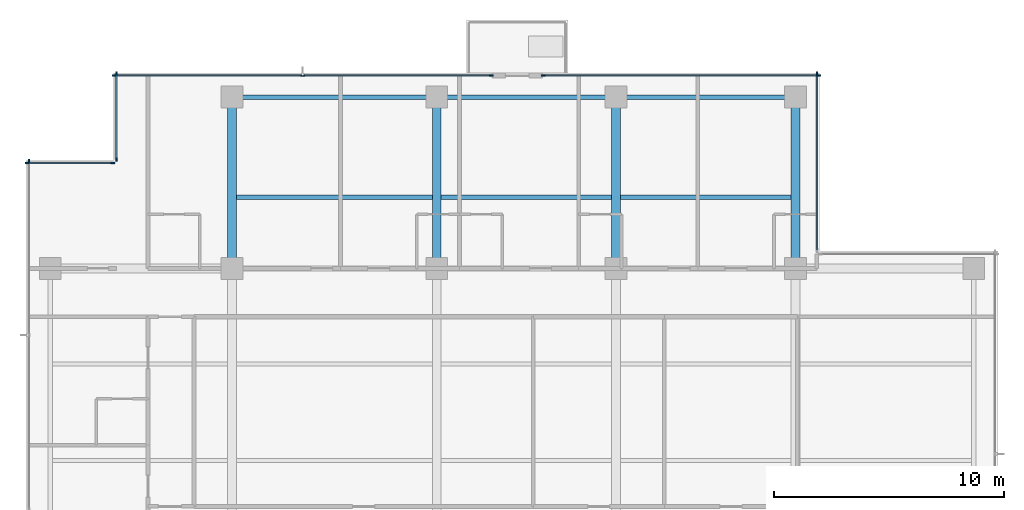
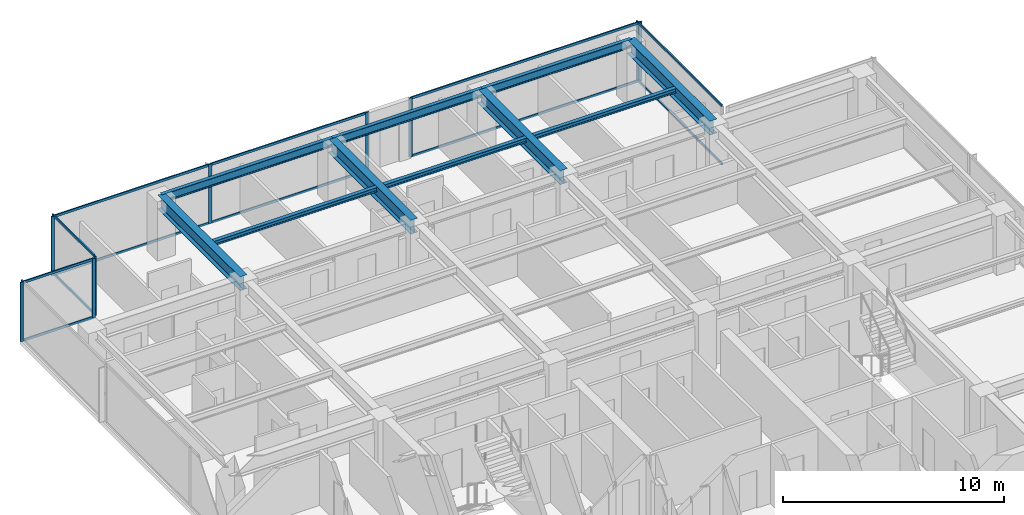
# One storey, part 5 of 15: 23 members, 10 beams, 6 elements without a shape of their own.
"""IFC4 building model written with IfcOpenShell, lengths in metres."""

from ifc_helpers import new_model, si_unit, direction, frame, origin, origin_2d, place, context, subcontext, project, spatial, rectangle, i_section, extrude, material, layer, layer_set, material_profile, profile_set, type_object, element, aggregate, save


model = new_model("IFC4")

# Units and contexts
model_context = context("Model", 3, precision=1e-05, world=origin(), true_north=direction((0.0, 1.0)))
body_context = subcontext(model_context, "Body", "Model", "MODEL_VIEW")
ifc_project = project(units=[si_unit("LENGTHUNIT", "METRE"), si_unit("AREAUNIT", "SQUARE_METRE"), si_unit("VOLUMEUNIT", "CUBIC_METRE"), si_unit("PLANEANGLEUNIT", "RADIAN"), si_unit("MASSUNIT", "GRAM", prefix="KILO")], contexts=[model_context])

# Site, building, storey
site_placement = place(None, origin())
site = spatial("IfcSite", under=ifc_project, at=site_placement, CompositionType="ELEMENT")
building_placement = place(site_placement, origin())
building = spatial("IfcBuilding", under=site, at=building_placement, Name="Qalmaran Belvedere Hotel", CompositionType="ELEMENT")
storey_placement = place(building_placement, frame((0.0, 0.0, 196.89990234375)))
storey = spatial("IfcBuildingStorey", under=building, at=storey_placement, Name="L49", CompositionType="ELEMENT", Elevation=196.89990234375)

# Beams
ifc_material_1 = material(Name="Steel S355JR", Category="steel")
ifc_material_profile_1 = material_profile(ifc_material_1, i_section(OverallWidth=0.201904296875, OverallDepth=0.2470703125, WebThickness=0.00732421875, FlangeThickness=0.010986328125, FilletRadius=0.011962890625, at=origin_2d()), Name="W250X49")
ifc_profile_set_1 = profile_set([ifc_material_profile_1], Name="Steel S355JR")
beam_type_1 = type_object("IfcBeamType", Name="BM-JST-W250X49", PredefinedType="JOIST", material=ifc_profile_set_1)
beam_1_placement = place(storey_placement, frame((20.488525390625, 36.10009765625, 3.13671875), z_axis=(1.0, 0.0, 0.0), x_axis=(0.0, 1.0, 0.0)))
element("IfcBeam", 1, at=beam_1_placement, inside=storey, type_object=beam_type_1, Name="L49 North Floor Joist 042", PredefinedType="JOIST", context=body_context, shape_type="SweptSolid", body=[
    extrude(i_section(OverallWidth=0.201904296875, OverallDepth=0.2470703125, WebThickness=0.00732421875, FlangeThickness=0.010986328125, FilletRadius=0.011962890625, at=origin_2d()), origin(), (0.0, 0.0, 1.0), 8.52294921875),
])
for number, where, z_axis, x_axis, name in (
    (2, (29.388427734375, 36.10009765625, 3.13671875), (1.0, 0.0, 0.0), (0.0, 1.0, 0.0), "L49 North Floor Joist 043"),
    (3, (37.1884765625, 36.10009765625, 3.13671875), (1.0, 0.0, 0.0), (0.0, 1.0, 0.0), "L49 North Floor Joist 044"),
):
    element("IfcBeam", number, at=place(storey_placement, frame(where, z_axis=z_axis, x_axis=x_axis)), inside=storey, type_object=beam_type_1, Name=name, PredefinedType="JOIST", context=body_context, shape_type="SweptSolid", body=[
        extrude(i_section(OverallWidth=0.201904296875, OverallDepth=0.2470703125, WebThickness=0.00732421875, FlangeThickness=0.010986328125, FilletRadius=0.011962890625, at=origin_2d()), origin(), (0.0, 0.0, 1.0), 7.423095703125),
    ])
ifc_material_profile_2 = material_profile(ifc_material_1, i_section(OverallWidth=0.381103515625, OverallDepth=0.77294921875, WebThickness=0.0166015625, FlangeThickness=0.027099609375, FilletRadius=0.02197265625, at=origin_2d()), Name="W760X257")
ifc_profile_set_2 = profile_set([ifc_material_profile_2], Name="Steel S355JR")
beam_type_2 = type_object("IfcBeamType", Name="BM-PG4-W760X257", PredefinedType="USERDEFINED", material=ifc_profile_set_2)
for number, where, z_axis, x_axis, name in (
    (4, (20.300048828125, 33.0, 2.87353515625), (0.0, 1.0, 0.0), (-1.0, 0.0, 0.0), "L49 North Bay Girder 15"),
    (5, (29.199951171875, 33.0, 2.87353515625), (0.0, 1.0, 0.0), (-1.0, 0.0, 0.0), "L49 North Bay Girder 17"),
    (6, (37.0, 33.0, 2.87353515625), (0.0, 1.0, 0.0), (-1.0, 0.0, 0.0), "L49 North Bay Girder 19"),
    (7, (44.800048828125, 33.0, 2.87353515625), (0.0, 1.0, 0.0), (-1.0, 0.0, 0.0), "L49 North Bay Girder 21"),
):
    element("IfcBeam", number, at=place(storey_placement, frame(where, z_axis=z_axis, x_axis=x_axis)), inside=storey, type_object=beam_type_2, Name=name, ObjectType="GIRDER", PredefinedType="USERDEFINED", context=body_context, shape_type="SweptSolid", body=[
        extrude(i_section(OverallWidth=0.381103515625, OverallDepth=0.77294921875, WebThickness=0.0166015625, FlangeThickness=0.027099609375, FilletRadius=0.02197265625, at=origin_2d()), origin(), (0.0, 0.0, 1.0), 7.449951171875),
    ])
ifc_material_profile_3 = material_profile(ifc_material_1, i_section(OverallWidth=0.19189453125, OverallDepth=0.462890625, WebThickness=0.010498046875, FlangeThickness=0.017578125, FilletRadius=0.01611328125, at=origin_2d()), Name="W460X89")
ifc_profile_set_3 = profile_set([ifc_material_profile_3], Name="Steel S355JR")
beam_type_3 = type_object("IfcBeamType", Name="BM-SP2-W460X89", PredefinedType="SPANDREL", material=ifc_profile_set_3)
beam_2_placement = place(storey_placement, frame((20.300048828125, 40.449951171875, 3.028564453125), z_axis=(1.0, 0.0, 0.0), x_axis=(0.0, 1.0, 0.0)))
element("IfcBeam", 8, at=beam_2_placement, inside=storey, type_object=beam_type_3, Name="L49 Perimeter Spandrel 05", PredefinedType="SPANDREL", context=body_context, shape_type="SweptSolid", body=[
    extrude(i_section(OverallWidth=0.19189453125, OverallDepth=0.462890625, WebThickness=0.010498046875, FlangeThickness=0.017578125, FilletRadius=0.01611328125, at=origin_2d()), origin(), (0.0, 0.0, 1.0), 8.89990234375),
])
for number, where, z_axis, x_axis, name in (
    (9, (29.199951171875, 40.449951171875, 3.028564453125), (1.0, 0.0, 0.0), (0.0, 1.0, 0.0), "L49 Perimeter Spandrel 06"),
    (10, (37.0, 40.449951171875, 3.028564453125), (1.0, 0.0, 0.0), (0.0, 1.0, 0.0), "L49 Perimeter Spandrel 07"),
):
    element("IfcBeam", number, at=place(storey_placement, frame(where, z_axis=z_axis, x_axis=x_axis)), inside=storey, type_object=beam_type_3, Name=name, PredefinedType="SPANDREL", context=body_context, shape_type="SweptSolid", body=[
        extrude(i_section(OverallWidth=0.19189453125, OverallDepth=0.462890625, WebThickness=0.010498046875, FlangeThickness=0.017578125, FilletRadius=0.01611328125, at=origin_2d()), origin(), (0.0, 0.0, 1.0), 7.800048828125),
    ])

# Curtain wall, member
ifc_material_2 = material(Name="Anodised Bronze Aluminium", Category="aluminium")
ifc_layer = layer(ifc_material_2, 0.18994140625, Name="Anodised Bronze Aluminium")
ifc_layer_set = layer_set([ifc_layer], Name="Anodised Bronze Aluminium")
curtain_wall_type = type_object("IfcCurtainWallType", Name="CW5-TOWER-UPPER", PredefinedType="NOTDEFINED", material=ifc_layer_set)
curtain_wall_1_placement = place(storey_placement, origin())
curtain_wall_1 = element("IfcCurtainWall", 11, at=curtain_wall_1_placement, inside=storey, type_object=curtain_wall_type, Name="L49 Curtain Wall CW5", PredefinedType="NOTDEFINED")
ifc_material_profile_4 = material_profile(ifc_material_2, rectangle(XDim=0.06494140625, YDim=0.1650390625, at=origin_2d()), Name="CWM65X165")
ifc_profile_set_4 = profile_set([ifc_material_profile_4], Name="Anodised Bronze Aluminium")
member_type_1 = type_object("IfcMemberType", Name="CWM-65X165", PredefinedType="MULLION", material=ifc_profile_set_4)
member_1_placement = place(storey_placement, frame((45.72998046875, 41.467529296875, 0.0), z_axis=(0.0, 0.0, 1.0), x_axis=(-1.0, 0.0, 0.0)))
member_1 = element("IfcMember", 12, at=member_1_placement, type_object=member_type_1, Name="CW5 mullion 2", PredefinedType="MULLION", context=body_context, shape_type="SweptSolid", body=[
    extrude(rectangle(XDim=0.06494140625, YDim=0.1650390625, at=origin_2d()), origin(), (0.0, 0.0, 1.0), 3.260009765625),
])

# Curtain wall, members
curtain_wall_2_placement = place(storey_placement, origin())
curtain_wall_2 = element("IfcCurtainWall", 13, at=curtain_wall_2_placement, inside=storey, type_object=curtain_wall_type, Name="L49 Curtain Wall CW5", PredefinedType="NOTDEFINED")
member_2_placement = place(storey_placement, frame((31.5673828125, 41.3798828125, 0.0), z_axis=(0.0, 0.0, 1.0), x_axis=(0.0, -1.0, 0.0)))
member_2 = element("IfcMember", 14, at=member_2_placement, type_object=member_type_1, Name="CW5 mullion 1", PredefinedType="MULLION", context=body_context, shape_type="SweptSolid", body=[
    extrude(rectangle(XDim=0.06494140625, YDim=0.1650390625, at=origin_2d()), origin(), (0.0, 0.0, 1.0), 3.260009765625),
])
member_3_placement = place(storey_placement, frame((23.375, 41.3798828125, 0.0), z_axis=(0.0, 0.0, 1.0), x_axis=(0.0, -1.0, 0.0)))
member_3 = element("IfcMember", 15, at=member_3_placement, type_object=member_type_1, Name="CW5 mullion 2", PredefinedType="MULLION", context=body_context, shape_type="SweptSolid", body=[
    extrude(rectangle(XDim=0.06494140625, YDim=0.1650390625, at=origin_2d()), origin(), (0.0, 0.0, 1.0), 3.260009765625),
])
member_4_placement = place(storey_placement, frame((15.1826171875, 41.3798828125, 0.0), z_axis=(0.0, 0.0, 1.0), x_axis=(0.0, -1.0, 0.0)))
member_4 = element("IfcMember", 16, at=member_4_placement, type_object=member_type_1, Name="CW5 mullion 3", PredefinedType="MULLION", context=body_context, shape_type="SweptSolid", body=[
    extrude(rectangle(XDim=0.06494140625, YDim=0.1650390625, at=origin_2d()), origin(), (0.0, 0.0, 1.0), 3.260009765625),
])

curtain_wall_3_placement = place(storey_placement, origin())
curtain_wall_3 = element("IfcCurtainWall", 17, at=curtain_wall_3_placement, inside=storey, type_object=curtain_wall_type, Name="L49 Curtain Wall CW5", PredefinedType="NOTDEFINED")
member_5_placement = place(storey_placement, frame((45.8173828125, 41.3798828125, 0.0), z_axis=(0.0, 0.0, 1.0), x_axis=(0.0, -1.0, 0.0)))
member_5 = element("IfcMember", 18, at=member_5_placement, type_object=member_type_1, Name="CW5 mullion 1", PredefinedType="MULLION", context=body_context, shape_type="SweptSolid", body=[
    extrude(rectangle(XDim=0.06494140625, YDim=0.1650390625, at=origin_2d()), origin(), (0.0, 0.0, 1.0), 3.260009765625),
])
member_6_placement = place(storey_placement, frame((33.83251953125, 41.3798828125, 0.0), z_axis=(0.0, 0.0, 1.0), x_axis=(0.0, -1.0, 0.0)))
member_6 = element("IfcMember", 19, at=member_6_placement, type_object=member_type_1, Name="CW5 mullion 2", PredefinedType="MULLION", context=body_context, shape_type="SweptSolid", body=[
    extrude(rectangle(XDim=0.06494140625, YDim=0.1650390625, at=origin_2d()), origin(), (0.0, 0.0, 1.0), 3.260009765625),
])

curtain_wall_4_placement = place(storey_placement, origin())
curtain_wall_4 = element("IfcCurtainWall", 20, at=curtain_wall_4_placement, inside=storey, type_object=curtain_wall_type, Name="L49 Curtain Wall CW5", PredefinedType="NOTDEFINED")
member_7_placement = place(storey_placement, frame((15.27001953125, 41.467529296875, 0.0), z_axis=(0.0, 0.0, 1.0), x_axis=(1.0, 0.0, 0.0)))
member_7 = element("IfcMember", 21, at=member_7_placement, type_object=member_type_1, Name="CW5 mullion 1", PredefinedType="MULLION", context=body_context, shape_type="SweptSolid", body=[
    extrude(rectangle(XDim=0.06494140625, YDim=0.1650390625, at=origin_2d()), origin(), (0.0, 0.0, 1.0), 3.260009765625),
])
member_8_placement = place(storey_placement, frame((15.27001953125, 37.732421875, 0.0), z_axis=(0.0, 0.0, 1.0), x_axis=(1.0, 0.0, 0.0)))
member_8 = element("IfcMember", 22, at=member_8_placement, type_object=member_type_1, Name="CW5 mullion 2", PredefinedType="MULLION", context=body_context, shape_type="SweptSolid", body=[
    extrude(rectangle(XDim=0.06494140625, YDim=0.1650390625, at=origin_2d()), origin(), (0.0, 0.0, 1.0), 3.260009765625),
])

curtain_wall_5_placement = place(storey_placement, origin())
curtain_wall_5 = element("IfcCurtainWall", 23, at=curtain_wall_5_placement, inside=storey, type_object=curtain_wall_type, Name="L49 Curtain Wall CW5", PredefinedType="NOTDEFINED")
member_9_placement = place(storey_placement, frame((15.117431640625, 37.580078125, 0.0), z_axis=(0.0, 0.0, 1.0), x_axis=(0.0, -1.0, 0.0)))
member_9 = element("IfcMember", 24, at=member_9_placement, type_object=member_type_1, Name="CW5 mullion 1", PredefinedType="MULLION", context=body_context, shape_type="SweptSolid", body=[
    extrude(rectangle(XDim=0.06494140625, YDim=0.1650390625, at=origin_2d()), origin(), (0.0, 0.0, 1.0), 3.260009765625),
])
member_10_placement = place(storey_placement, frame((11.382568359375, 37.580078125, 0.0), z_axis=(0.0, 0.0, 1.0), x_axis=(0.0, -1.0, 0.0)))
member_10 = element("IfcMember", 25, at=member_10_placement, type_object=member_type_1, Name="CW5 mullion 2", PredefinedType="MULLION", context=body_context, shape_type="SweptSolid", body=[
    extrude(rectangle(XDim=0.06494140625, YDim=0.1650390625, at=origin_2d()), origin(), (0.0, 0.0, 1.0), 3.260009765625),
])

# Curtain wall, member
curtain_wall_6_placement = place(storey_placement, origin())
curtain_wall_6 = element("IfcCurtainWall", 26, at=curtain_wall_6_placement, inside=storey, type_object=curtain_wall_type, Name="L49 Curtain Wall CW5", PredefinedType="NOTDEFINED")
member_11_placement = place(storey_placement, frame((11.469970703125, 37.66748046875, 0.0), z_axis=(0.0, 0.0, 1.0), x_axis=(1.0, 0.0, 0.0)))
member_11 = element("IfcMember", 27, at=member_11_placement, type_object=member_type_1, Name="CW5 mullion 1", PredefinedType="MULLION", context=body_context, shape_type="SweptSolid", body=[
    extrude(rectangle(XDim=0.06494140625, YDim=0.1650390625, at=origin_2d()), origin(), (0.0, 0.0, 1.0), 3.260009765625),
])
aggregate(curtain_wall_6, [member_11])

# Member
ifc_material_profile_5 = material_profile(ifc_material_2, rectangle(XDim=0.06494140625, YDim=0.1298828125, at=origin_2d()), Name="CWT65X130")
ifc_profile_set_5 = profile_set([ifc_material_profile_5], Name="Anodised Bronze Aluminium")
member_type_2 = type_object("IfcMemberType", Name="CWT-65X130", PredefinedType="USERDEFINED", material=ifc_profile_set_5)
member_12_placement = place(storey_placement, frame((45.72998046875, 33.81494140625, 0.03271484375), z_axis=(0.0, 1.0, 0.0), x_axis=(-1.0, 0.0, 0.0)))
member_12 = element("IfcMember", 28, at=member_12_placement, type_object=member_type_2, Name="CW5 transom 1.1", ObjectType="TRANSOM", PredefinedType="USERDEFINED", context=body_context, shape_type="SweptSolid", body=[
    extrude(rectangle(XDim=0.06494140625, YDim=0.1298828125, at=origin_2d()), origin(), (0.0, 0.0, 1.0), 7.6201171875),
])

member_13_placement = place(storey_placement, frame((45.72998046875, 33.81494140625, 3.2275390625), z_axis=(0.0, 1.0, 0.0), x_axis=(-1.0, 0.0, 0.0)))
member_13 = element("IfcMember", 29, at=member_13_placement, type_object=member_type_2, Name="CW5 transom 1.2", ObjectType="TRANSOM", PredefinedType="USERDEFINED", context=body_context, shape_type="SweptSolid", body=[
    extrude(rectangle(XDim=0.06494140625, YDim=0.1298828125, at=origin_2d()), origin(), (0.0, 0.0, 1.0), 7.6201171875),
])

aggregate(curtain_wall_1, [member_1, member_12, member_13])

member_14_placement = place(storey_placement, frame((31.534912109375, 41.3798828125, 0.03271484375), z_axis=(-1.0, 0.0, 0.0), x_axis=(0.0, -1.0, 0.0)))
member_14 = element("IfcMember", 30, at=member_14_placement, type_object=member_type_2, Name="CW5 transom 1.1", ObjectType="TRANSOM", PredefinedType="USERDEFINED", context=body_context, shape_type="SweptSolid", body=[
    extrude(rectangle(XDim=0.06494140625, YDim=0.1298828125, at=origin_2d()), origin(), (0.0, 0.0, 1.0), 8.12744140625),
])

member_15_placement = place(storey_placement, frame((31.534912109375, 41.3798828125, 3.2275390625), z_axis=(-1.0, 0.0, 0.0), x_axis=(0.0, -1.0, 0.0)))
member_15 = element("IfcMember", 31, at=member_15_placement, type_object=member_type_2, Name="CW5 transom 1.2", ObjectType="TRANSOM", PredefinedType="USERDEFINED", context=body_context, shape_type="SweptSolid", body=[
    extrude(rectangle(XDim=0.06494140625, YDim=0.1298828125, at=origin_2d()), origin(), (0.0, 0.0, 1.0), 8.12744140625),
])

member_16_placement = place(storey_placement, frame((23.342529296875, 41.3798828125, 0.03271484375), z_axis=(-1.0, 0.0, 0.0), x_axis=(0.0, -1.0, 0.0)))
member_16 = element("IfcMember", 32, at=member_16_placement, type_object=member_type_2, Name="CW5 transom 2.1", ObjectType="TRANSOM", PredefinedType="USERDEFINED", context=body_context, shape_type="SweptSolid", body=[
    extrude(rectangle(XDim=0.06494140625, YDim=0.1298828125, at=origin_2d()), origin(), (0.0, 0.0, 1.0), 8.12744140625),
])

member_17_placement = place(storey_placement, frame((23.342529296875, 41.3798828125, 3.2275390625), z_axis=(-1.0, 0.0, 0.0), x_axis=(0.0, -1.0, 0.0)))
member_17 = element("IfcMember", 33, at=member_17_placement, type_object=member_type_2, Name="CW5 transom 2.2", ObjectType="TRANSOM", PredefinedType="USERDEFINED", context=body_context, shape_type="SweptSolid", body=[
    extrude(rectangle(XDim=0.06494140625, YDim=0.1298828125, at=origin_2d()), origin(), (0.0, 0.0, 1.0), 8.12744140625),
])

aggregate(curtain_wall_2, [member_2, member_3, member_4, member_14, member_15, member_16, member_17])

member_18_placement = place(storey_placement, frame((45.784912109375, 41.3798828125, 0.03271484375), z_axis=(-1.0, 0.0, 0.0), x_axis=(0.0, -1.0, 0.0)))
member_18 = element("IfcMember", 34, at=member_18_placement, type_object=member_type_2, Name="CW5 transom 1.1", ObjectType="TRANSOM", PredefinedType="USERDEFINED", context=body_context, shape_type="SweptSolid", body=[
    extrude(rectangle(XDim=0.06494140625, YDim=0.1298828125, at=origin_2d()), origin(), (0.0, 0.0, 1.0), 11.919921875),
])

member_19_placement = place(storey_placement, frame((45.784912109375, 41.3798828125, 3.2275390625), z_axis=(-1.0, 0.0, 0.0), x_axis=(0.0, -1.0, 0.0)))
member_19 = element("IfcMember", 35, at=member_19_placement, type_object=member_type_2, Name="CW5 transom 1.2", ObjectType="TRANSOM", PredefinedType="USERDEFINED", context=body_context, shape_type="SweptSolid", body=[
    extrude(rectangle(XDim=0.06494140625, YDim=0.1298828125, at=origin_2d()), origin(), (0.0, 0.0, 1.0), 11.919921875),
])

aggregate(curtain_wall_3, [member_5, member_6, member_18, member_19])

member_20_placement = place(storey_placement, frame((15.27001953125, 41.43505859375, 0.03271484375), z_axis=(0.0, -1.0, 0.0), x_axis=(1.0, 0.0, 0.0)))
member_20 = element("IfcMember", 36, at=member_20_placement, type_object=member_type_2, Name="CW5 transom 1.1", ObjectType="TRANSOM", PredefinedType="USERDEFINED", context=body_context, shape_type="SweptSolid", body=[
    extrude(rectangle(XDim=0.06494140625, YDim=0.1298828125, at=origin_2d()), origin(), (0.0, 0.0, 1.0), 3.670166015625),
])

member_21_placement = place(storey_placement, frame((15.27001953125, 41.43505859375, 3.2275390625), z_axis=(0.0, -1.0, 0.0), x_axis=(1.0, 0.0, 0.0)))
member_21 = element("IfcMember", 37, at=member_21_placement, type_object=member_type_2, Name="CW5 transom 1.2", ObjectType="TRANSOM", PredefinedType="USERDEFINED", context=body_context, shape_type="SweptSolid", body=[
    extrude(rectangle(XDim=0.06494140625, YDim=0.1298828125, at=origin_2d()), origin(), (0.0, 0.0, 1.0), 3.670166015625),
])

aggregate(curtain_wall_4, [member_7, member_8, member_20, member_21])

member_22_placement = place(storey_placement, frame((15.0849609375, 37.580078125, 0.03271484375), z_axis=(-1.0, 0.0, 0.0), x_axis=(0.0, -1.0, 0.0)))
member_22 = element("IfcMember", 38, at=member_22_placement, type_object=member_type_2, Name="CW5 transom 1.1", ObjectType="TRANSOM", PredefinedType="USERDEFINED", context=body_context, shape_type="SweptSolid", body=[
    extrude(rectangle(XDim=0.06494140625, YDim=0.1298828125, at=origin_2d()), origin(), (0.0, 0.0, 1.0), 3.669921875),
])

member_23_placement = place(storey_placement, frame((15.0849609375, 37.580078125, 3.2275390625), z_axis=(-1.0, 0.0, 0.0), x_axis=(0.0, -1.0, 0.0)))
member_23 = element("IfcMember", 39, at=member_23_placement, type_object=member_type_2, Name="CW5 transom 1.2", ObjectType="TRANSOM", PredefinedType="USERDEFINED", context=body_context, shape_type="SweptSolid", body=[
    extrude(rectangle(XDim=0.06494140625, YDim=0.1298828125, at=origin_2d()), origin(), (0.0, 0.0, 1.0), 3.669921875),
])

aggregate(curtain_wall_5, [member_9, member_10, member_22, member_23])

save(model, "model.ifc")
